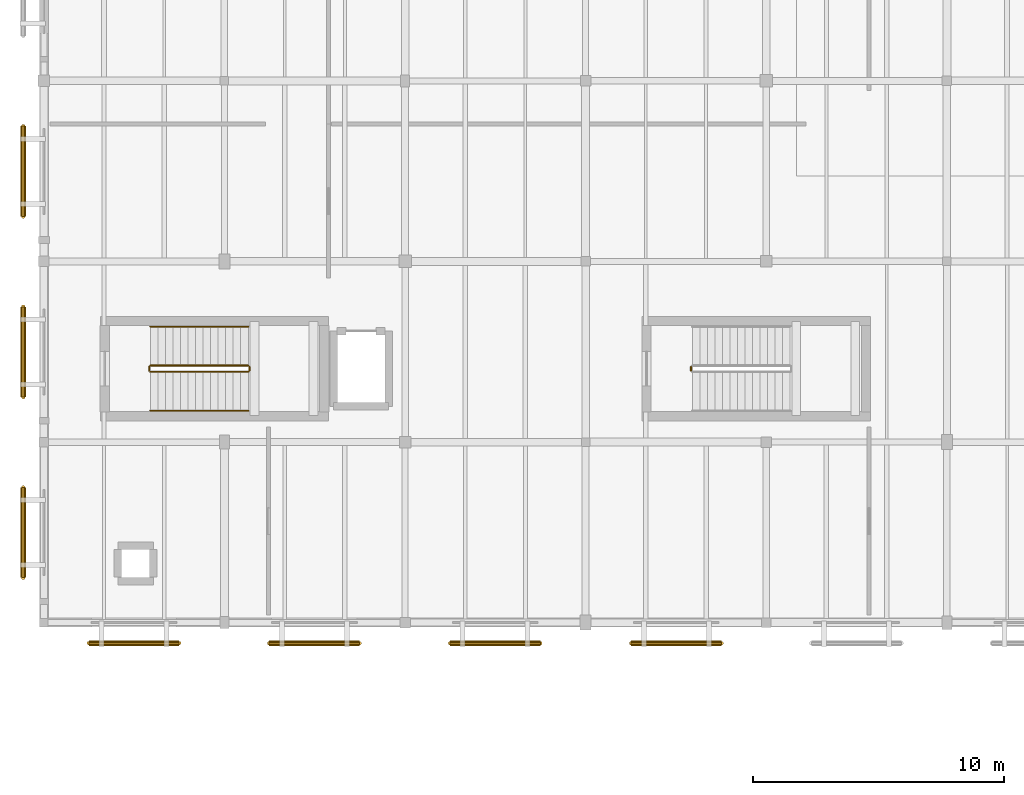
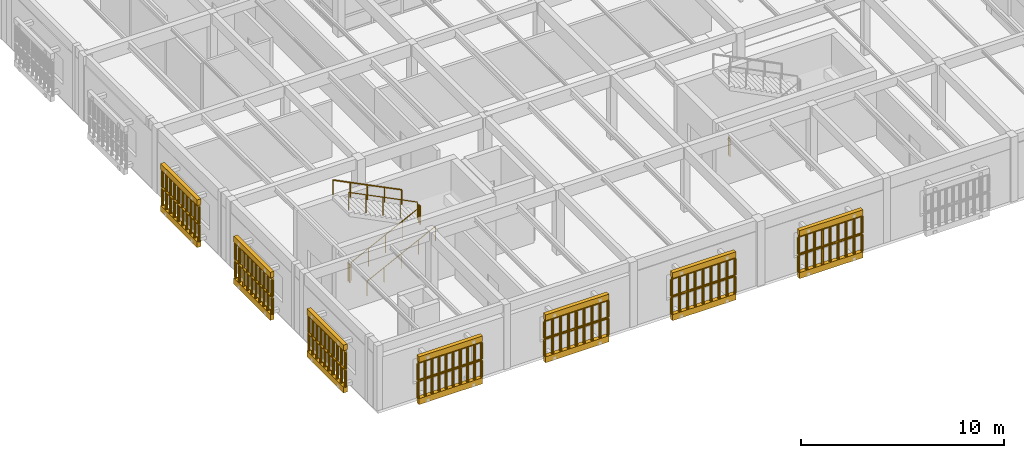
# One storey, part 197 of 217: 21 railings, 14 coverings.
"""IFC4 building model written with IfcOpenShell, lengths in metres."""

from ifc_helpers import new_model, si_unit, direction, frame, origin, origin_2d, place, context, subcontext, project, spatial, polyline, circle, outline, extrude, material, layer, layer_set, type_object, element, save


model = new_model("IFC4")

# Units and contexts
model_context = context("Model", 3, precision=1e-05, world=origin(), true_north=direction((0.0, 1.0)))
body_context = subcontext(model_context, "Body", "Model", "MODEL_VIEW")
ifc_project = project(units=[si_unit("LENGTHUNIT", "METRE"), si_unit("AREAUNIT", "SQUARE_METRE"), si_unit("VOLUMEUNIT", "CUBIC_METRE"), si_unit("PLANEANGLEUNIT", "RADIAN"), si_unit("MASSUNIT", "GRAM", prefix="KILO")], contexts=[model_context])

# Site, building, storey
site_placement = place(None, origin())
site = spatial("IfcSite", under=ifc_project, at=site_placement, CompositionType="ELEMENT")
building_placement = place(site_placement, origin())
building = spatial("IfcBuilding", under=site, at=building_placement, Name="Mazaris Harbour Polytechnic", CompositionType="ELEMENT")
storey_placement = place(building_placement, frame((0.0, 0.0, 9.60009765625)))
storey = spatial("IfcBuildingStorey", under=building, at=storey_placement, Name="L02", CompositionType="ELEMENT", Elevation=9.60009765625)

# Railings
ifc_material_1 = material(Name="Perforated Earth-Coloured Terracotta Block", Category="masonry")
railing_type_1 = type_object("IfcRailingType", Name="Perforated Earth-Block Claustra Lattice 1040", PredefinedType="BALUSTRADE", material=ifc_material_1)
for number, where, name in (
    (1, (5.39501953125, 6.3798828125, 0.52001953125), "V4 L02 Lower Perforated Terracotta Block Screen 201"),
    (2, (5.39501953125, 6.3798828125, 1.60498046875), "V4 L02 Upper Perforated Terracotta Block Screen 201"),
):
    element("IfcRailing", number, at=place(storey_placement, frame(where)), inside=storey, type_object=railing_type_1, Name=name, PredefinedType="BALUSTRADE", context=body_context, shape_type="SweptSolid", body=[
        extrude(circle(Radius=0.06982421875, at=origin_2d()), frame((0.0, 0.0, 1.01513671875), z_axis=(-1.0, 0.0, 0.0), x_axis=(0.0, -1.0, 0.0)), (0.0, 0.0, 1.0), 3.60009765625),
        extrude(circle(Radius=0.074951171875, at=origin_2d()), origin(), (0.0, 0.0, 1.0), 0.945068359375),
        extrude(circle(Radius=0.074951171875, at=origin_2d()), frame((-0.39990234375, 0.0, 0.0)), (0.0, 0.0, 1.0), 0.945068359375),
        extrude(circle(Radius=0.074951171875, at=origin_2d()), frame((-0.800048828125, 0.0, 0.0)), (0.0, 0.0, 1.0), 0.945068359375),
        extrude(circle(Radius=0.074951171875, at=origin_2d()), frame((-1.199951171875, 0.0, 0.0)), (0.0, 0.0, 1.0), 0.945068359375),
        extrude(circle(Radius=0.074951171875, at=origin_2d()), frame((-1.60009765625, 0.0, 0.0)), (0.0, 0.0, 1.0), 0.945068359375),
        extrude(circle(Radius=0.074951171875, at=origin_2d()), frame((-2.0, 0.0, 0.0)), (0.0, 0.0, 1.0), 0.945068359375),
        extrude(circle(Radius=0.074951171875, at=origin_2d()), frame((-2.400146484375, 0.0, 0.0)), (0.0, 0.0, 1.0), 0.945068359375),
        extrude(circle(Radius=0.074951171875, at=origin_2d()), frame((-2.800048828125, 0.0, 0.0)), (0.0, 0.0, 1.0), 0.945068359375),
        extrude(circle(Radius=0.074951171875, at=origin_2d()), frame((-3.2001953125, 0.0, 0.0)), (0.0, 0.0, 1.0), 0.945068359375),
        extrude(circle(Radius=0.074951171875, at=origin_2d()), frame((-3.60009765625, 0.0, 0.0)), (0.0, 0.0, 1.0), 0.945068359375),
    ])
for number, where, name in (
    (3, (12.5849609375, 6.3798828125, 0.52001953125), "V4 L02 Lower Perforated Terracotta Block Screen 202"),
    (4, (12.5849609375, 6.3798828125, 1.60498046875), "V4 L02 Upper Perforated Terracotta Block Screen 202"),
):
    element("IfcRailing", number, at=place(storey_placement, frame(where)), inside=storey, type_object=railing_type_1, Name=name, PredefinedType="BALUSTRADE", context=body_context, shape_type="SweptSolid", body=[
        extrude(circle(Radius=0.06982421875, at=origin_2d()), frame((0.0, 0.0, 1.01513671875), z_axis=(-1.0, 0.0, 0.0), x_axis=(0.0, -1.0, 0.0)), (0.0, 0.0, 1.0), 3.599853515625),
        extrude(circle(Radius=0.074951171875, at=origin_2d()), origin(), (0.0, 0.0, 1.0), 0.945068359375),
        extrude(circle(Radius=0.074951171875, at=origin_2d()), frame((-0.449951171875, 0.0, 0.0)), (0.0, 0.0, 1.0), 0.945068359375),
        extrude(circle(Radius=0.074951171875, at=origin_2d()), frame((-0.89990234375, 0.0, 0.0)), (0.0, 0.0, 1.0), 0.945068359375),
        extrude(circle(Radius=0.074951171875, at=origin_2d()), frame((-1.349853515625, 0.0, 0.0)), (0.0, 0.0, 1.0), 0.945068359375),
        extrude(circle(Radius=0.074951171875, at=origin_2d()), frame((-1.7998046875, 0.0, 0.0)), (0.0, 0.0, 1.0), 0.945068359375),
        extrude(circle(Radius=0.074951171875, at=origin_2d()), frame((-2.25, 0.0, 0.0)), (0.0, 0.0, 1.0), 0.945068359375),
        extrude(circle(Radius=0.074951171875, at=origin_2d()), frame((-2.699951171875, 0.0, 0.0)), (0.0, 0.0, 1.0), 0.945068359375),
        extrude(circle(Radius=0.074951171875, at=origin_2d()), frame((-3.14990234375, 0.0, 0.0)), (0.0, 0.0, 1.0), 0.945068359375),
        extrude(circle(Radius=0.074951171875, at=origin_2d()), frame((-3.599853515625, 0.0, 0.0)), (0.0, 0.0, 1.0), 0.945068359375),
    ])
for number, where, name in (
    (5, (19.794921875, 6.3798828125, 0.52001953125), "V4 L02 Lower Perforated Terracotta Block Screen 203"),
    (6, (19.794921875, 6.3798828125, 1.60986328125), "V4 L02 Upper Perforated Terracotta Block Screen 203"),
    (7, (27.014892578125, 6.3798828125, 0.52001953125), "V4 L02 Lower Perforated Terracotta Block Screen 204"),
    (8, (27.014892578125, 6.3798828125, 1.60986328125), "V4 L02 Upper Perforated Terracotta Block Screen 204"),
):
    element("IfcRailing", number, at=place(storey_placement, frame(where)), inside=storey, type_object=railing_type_1, Name=name, PredefinedType="BALUSTRADE", context=body_context, shape_type="SweptSolid", body=[
        extrude(circle(Radius=0.06982421875, at=origin_2d()), frame((0.0, 0.0, 1.02001953125), z_axis=(-1.0, 0.0, 0.0), x_axis=(0.0, -1.0, 0.0)), (0.0, 0.0, 1.0), 3.599853515625),
        extrude(circle(Radius=0.074951171875, at=origin_2d()), origin(), (0.0, 0.0, 1.0), 0.9501953125),
        extrude(circle(Radius=0.074951171875, at=origin_2d()), frame((-0.449951171875, 0.0, 0.0)), (0.0, 0.0, 1.0), 0.9501953125),
        extrude(circle(Radius=0.074951171875, at=origin_2d()), frame((-0.89990234375, 0.0, 0.0)), (0.0, 0.0, 1.0), 0.9501953125),
        extrude(circle(Radius=0.074951171875, at=origin_2d()), frame((-1.349853515625, 0.0, 0.0)), (0.0, 0.0, 1.0), 0.9501953125),
        extrude(circle(Radius=0.074951171875, at=origin_2d()), frame((-1.7998046875, 0.0, 0.0)), (0.0, 0.0, 1.0), 0.9501953125),
        extrude(circle(Radius=0.074951171875, at=origin_2d()), frame((-2.25, 0.0, 0.0)), (0.0, 0.0, 1.0), 0.9501953125),
        extrude(circle(Radius=0.074951171875, at=origin_2d()), frame((-2.699951171875, 0.0, 0.0)), (0.0, 0.0, 1.0), 0.9501953125),
        extrude(circle(Radius=0.074951171875, at=origin_2d()), frame((-3.14990234375, 0.0, 0.0)), (0.0, 0.0, 1.0), 0.9501953125),
        extrude(circle(Radius=0.074951171875, at=origin_2d()), frame((-3.599853515625, 0.0, 0.0)), (0.0, 0.0, 1.0), 0.9501953125),
    ])
for number, where, name in (
    (9, (-0.820068359375, 8.989990234375, 0.52001953125), "V4 L02 Lower Perforated Terracotta Block Screen 213"),
    (10, (-0.820068359375, 8.989990234375, 1.60986328125), "V4 L02 Upper Perforated Terracotta Block Screen 213"),
    (11, (-0.820068359375, 16.18994140625, 0.52001953125), "V4 L02 Lower Perforated Terracotta Block Screen 214"),
    (12, (-0.820068359375, 16.18994140625, 1.60986328125), "V4 L02 Upper Perforated Terracotta Block Screen 214"),
):
    element("IfcRailing", number, at=place(storey_placement, frame(where)), inside=storey, type_object=railing_type_1, Name=name, PredefinedType="BALUSTRADE", context=body_context, shape_type="SweptSolid", body=[
        extrude(circle(Radius=0.06982421875, at=origin_2d()), frame((0.0, 0.0, 1.02001953125), z_axis=(0.0, 1.0, 0.0), x_axis=(-1.0, 0.0, 0.0)), (0.0, 0.0, 1.0), 3.60009765625),
        extrude(circle(Radius=0.074951171875, at=origin_2d()), origin(), (0.0, 0.0, 1.0), 0.9501953125),
        extrude(circle(Radius=0.074951171875, at=origin_2d()), frame((0.0, 0.39990234375, 0.0)), (0.0, 0.0, 1.0), 0.9501953125),
        extrude(circle(Radius=0.074951171875, at=origin_2d()), frame((0.0, 0.800048828125, 0.0)), (0.0, 0.0, 1.0), 0.9501953125),
        extrude(circle(Radius=0.074951171875, at=origin_2d()), frame((0.0, 1.199951171875, 0.0)), (0.0, 0.0, 1.0), 0.9501953125),
        extrude(circle(Radius=0.074951171875, at=origin_2d()), frame((0.0, 1.60009765625, 0.0)), (0.0, 0.0, 1.0), 0.9501953125),
        extrude(circle(Radius=0.074951171875, at=origin_2d()), frame((0.0, 2.0, 0.0)), (0.0, 0.0, 1.0), 0.9501953125),
        extrude(circle(Radius=0.074951171875, at=origin_2d()), frame((0.0, 2.400146484375, 0.0)), (0.0, 0.0, 1.0), 0.9501953125),
        extrude(circle(Radius=0.074951171875, at=origin_2d()), frame((0.0, 2.800048828125, 0.0)), (0.0, 0.0, 1.0), 0.9501953125),
        extrude(circle(Radius=0.074951171875, at=origin_2d()), frame((0.0, 3.2001953125, 0.0)), (0.0, 0.0, 1.0), 0.9501953125),
        extrude(circle(Radius=0.074951171875, at=origin_2d()), frame((0.0, 3.60009765625, 0.0)), (0.0, 0.0, 1.0), 0.9501953125),
    ])
for number, where, name in (
    (13, (-0.820068359375, 23.389892578125, 0.52001953125), "V4 L02 Lower Perforated Terracotta Block Screen 215"),
    (14, (-0.820068359375, 23.389892578125, 1.60498046875), "V4 L02 Upper Perforated Terracotta Block Screen 215"),
):
    element("IfcRailing", number, at=place(storey_placement, frame(where)), inside=storey, type_object=railing_type_1, Name=name, PredefinedType="BALUSTRADE", context=body_context, shape_type="SweptSolid", body=[
        extrude(circle(Radius=0.06982421875, at=origin_2d()), frame((0.0, 0.0, 1.01513671875), z_axis=(0.0, 1.0, 0.0), x_axis=(-1.0, 0.0, 0.0)), (0.0, 0.0, 1.0), 3.60009765625),
        extrude(circle(Radius=0.074951171875, at=origin_2d()), origin(), (0.0, 0.0, 1.0), 0.945068359375),
        extrude(circle(Radius=0.074951171875, at=origin_2d()), frame((0.0, 0.39990234375, 0.0)), (0.0, 0.0, 1.0), 0.945068359375),
        extrude(circle(Radius=0.074951171875, at=origin_2d()), frame((0.0, 0.800048828125, 0.0)), (0.0, 0.0, 1.0), 0.945068359375),
        extrude(circle(Radius=0.074951171875, at=origin_2d()), frame((0.0, 1.199951171875, 0.0)), (0.0, 0.0, 1.0), 0.945068359375),
        extrude(circle(Radius=0.074951171875, at=origin_2d()), frame((0.0, 1.60009765625, 0.0)), (0.0, 0.0, 1.0), 0.945068359375),
        extrude(circle(Radius=0.074951171875, at=origin_2d()), frame((0.0, 2.0, 0.0)), (0.0, 0.0, 1.0), 0.945068359375),
        extrude(circle(Radius=0.074951171875, at=origin_2d()), frame((0.0, 2.400146484375, 0.0)), (0.0, 0.0, 1.0), 0.945068359375),
        extrude(circle(Radius=0.074951171875, at=origin_2d()), frame((0.0, 2.800048828125, 0.0)), (0.0, 0.0, 1.0), 0.945068359375),
        extrude(circle(Radius=0.074951171875, at=origin_2d()), frame((0.0, 3.2001953125, 0.0)), (0.0, 0.0, 1.0), 0.945068359375),
        extrude(circle(Radius=0.074951171875, at=origin_2d()), frame((0.0, 3.60009765625, 0.0)), (0.0, 0.0, 1.0), 0.945068359375),
    ])
ifc_material_2 = material(Name="Stainless Steel S355", Category="steel")
railing_type_2 = type_object("IfcRailingType", Name="Stair Wall Handrail 900", PredefinedType="HANDRAIL", material=ifc_material_2)
railing_1_placement = place(storey_placement, frame((4.25, 15.64990234375, 0.14990234375)))
element("IfcRailing", 15, at=railing_1_placement, inside=storey, type_object=railing_type_2, Name="L02 ST07 stair handrail 1", PredefinedType="HANDRAIL", context=body_context, shape_type="SweptSolid", body=[
    extrude(circle(Radius=0.02392578125, at=origin_2d()), frame((0.0, 0.0, 0.8759765625), z_axis=(0.894427191, 0.0, 0.4472135955), x_axis=(0.0, 1.0, 0.0)), (0.0, 0.0, 1.0), 4.360107421875),
    extrude(circle(Radius=0.02099609375, at=origin_2d()), origin(), (0.0, 0.0, 1.0), 0.851806640625),
    extrude(circle(Radius=0.02099609375, at=origin_2d()), frame((0.97509765625, 0.0, 0.487548828125)), (0.0, 0.0, 1.0), 0.851806640625),
    extrude(circle(Radius=0.02099609375, at=origin_2d()), frame((1.949951171875, 0.0, 0.97509765625)), (0.0, 0.0, 1.0), 0.851806640625),
    extrude(circle(Radius=0.02099609375, at=origin_2d()), frame((2.9248046875, 0.0, 1.46240234375)), (0.0, 0.0, 1.0), 0.851806640625),
    extrude(circle(Radius=0.02099609375, at=origin_2d()), frame((3.89990234375, 0.0, 1.949951171875)), (0.0, 0.0, 1.0), 0.851806640625),
])
railing_2_placement = place(storey_placement, frame((8.14990234375, 19.0, 2.25)))
element("IfcRailing", 16, at=railing_2_placement, inside=storey, type_object=railing_type_2, Name="L02 ST07 stair handrail 2", PredefinedType="HANDRAIL", context=body_context, shape_type="SweptSolid", body=[
    extrude(circle(Radius=0.02392578125, at=origin_2d()), frame((0.0, 0.0, 0.8759765625), z_axis=(-0.894427191, 0.0, 0.4472135955), x_axis=(0.0, -1.0, 0.0)), (0.0, 0.0, 1.0), 4.360107421875),
    extrude(circle(Radius=0.02099609375, at=origin_2d()), origin(), (0.0, 0.0, 1.0), 0.851806640625),
    extrude(circle(Radius=0.02099609375, at=origin_2d()), frame((-0.97509765625, 0.0, 0.487548828125)), (0.0, 0.0, 1.0), 0.851806640625),
    extrude(circle(Radius=0.02099609375, at=origin_2d()), frame((-1.949951171875, 0.0, 0.97509765625)), (0.0, 0.0, 1.0), 0.851806640625),
    extrude(circle(Radius=0.02099609375, at=origin_2d()), frame((-2.9248046875, 0.0, 1.46240234375)), (0.0, 0.0, 1.0), 0.851806640625),
    extrude(circle(Radius=0.02099609375, at=origin_2d()), frame((-3.89990234375, 0.0, 1.949951171875)), (0.0, 0.0, 1.0), 0.851806640625),
])
ifc_material_3 = material(Name="Steel S355", Category="steel")
railing_type_3 = type_object("IfcRailingType", Name="Stair Well Guardrail 1100", PredefinedType="GUARDRAIL", material=ifc_material_3)
railing_3_placement = place(storey_placement, frame((4.25, 17.199951171875, 0.14990234375)))
element("IfcRailing", 17, at=railing_3_placement, inside=storey, type_object=railing_type_3, Name="L02 ST07 stair guard 1", PredefinedType="GUARDRAIL", context=body_context, shape_type="SweptSolid", body=[
    extrude(circle(Radius=0.02392578125, at=origin_2d()), frame((0.0, 0.0, 1.076171875), z_axis=(0.894427191, 0.0, 0.4472135955), x_axis=(0.0, 1.0, 0.0)), (0.0, 0.0, 1.0), 4.360107421875),
    extrude(circle(Radius=0.02099609375, at=origin_2d()), origin(), (0.0, 0.0, 1.0), 1.052001953125),
    extrude(circle(Radius=0.02099609375, at=origin_2d()), frame((0.97509765625, 0.0, 0.487548828125)), (0.0, 0.0, 1.0), 1.052001953125),
    extrude(circle(Radius=0.02099609375, at=origin_2d()), frame((1.949951171875, 0.0, 0.97509765625)), (0.0, 0.0, 1.0), 1.052001953125),
    extrude(circle(Radius=0.02099609375, at=origin_2d()), frame((2.9248046875, 0.0, 1.46240234375)), (0.0, 0.0, 1.0), 1.052001953125),
    extrude(circle(Radius=0.02099609375, at=origin_2d()), frame((3.89990234375, 0.0, 1.949951171875)), (0.0, 0.0, 1.0), 1.052001953125),
])
railing_4_placement = place(storey_placement, frame((8.199951171875, 17.25, 2.099853515625)))
element("IfcRailing", 18, at=railing_4_placement, inside=storey, type_object=railing_type_3, Name="L02 ST07 stair guard 2", PredefinedType="GUARDRAIL", context=body_context, shape_type="SweptSolid", body=[
    extrude(circle(Radius=0.02392578125, at=origin_2d()), frame((0.0, 0.0, 1.076171875), z_axis=(0.0, 1.0, 0.0), x_axis=(-1.0, 0.0, 0.0)), (0.0, 0.0, 1.0), 0.14990234375),
    extrude(circle(Radius=0.02099609375, at=origin_2d()), origin(), (0.0, 0.0, 1.0), 1.052001953125),
    extrude(circle(Radius=0.02099609375, at=origin_2d()), frame((0.0, 0.14990234375, 0.0)), (0.0, 0.0, 1.0), 1.052001953125),
])
railing_5_placement = place(storey_placement, frame((8.14990234375, 17.449951171875, 2.25)))
element("IfcRailing", 19, at=railing_5_placement, inside=storey, type_object=railing_type_3, Name="L02 ST07 stair guard 3", PredefinedType="GUARDRAIL", context=body_context, shape_type="SweptSolid", body=[
    extrude(circle(Radius=0.02392578125, at=origin_2d()), frame((0.0, 0.0, 1.076171875), z_axis=(-0.894427191, 0.0, 0.4472135955), x_axis=(0.0, -1.0, 0.0)), (0.0, 0.0, 1.0), 4.360107421875),
    extrude(circle(Radius=0.02099609375, at=origin_2d()), origin(), (0.0, 0.0, 1.0), 1.052001953125),
    extrude(circle(Radius=0.02099609375, at=origin_2d()), frame((-0.97509765625, 0.0, 0.487548828125)), (0.0, 0.0, 1.0), 1.052001953125),
    extrude(circle(Radius=0.02099609375, at=origin_2d()), frame((-1.949951171875, 0.0, 0.97509765625)), (0.0, 0.0, 1.0), 1.052001953125),
    extrude(circle(Radius=0.02099609375, at=origin_2d()), frame((-2.9248046875, 0.0, 1.46240234375)), (0.0, 0.0, 1.0), 1.052001953125),
    extrude(circle(Radius=0.02099609375, at=origin_2d()), frame((-3.89990234375, 0.0, 1.949951171875)), (0.0, 0.0, 1.0), 1.052001953125),
])
for number, where, name in (
    (20, (4.199951171875, 17.25, 0.0), "L02 ST07 stair guard 4"),
    (21, (25.800048828125, 17.25, 0.0), "L02 ST08 stair guard 4"),
):
    element("IfcRailing", number, at=place(storey_placement, frame(where)), inside=storey, type_object=railing_type_3, Name=name, PredefinedType="GUARDRAIL", context=body_context, shape_type="SweptSolid", body=[
        extrude(circle(Radius=0.02392578125, at=origin_2d()), frame((0.0, 0.0, 1.076171875), z_axis=(0.0, 1.0, 0.0), x_axis=(-1.0, 0.0, 0.0)), (0.0, 0.0, 1.0), 0.14990234375),
        extrude(circle(Radius=0.02099609375, at=origin_2d()), origin(), (0.0, 0.0, 1.0), 1.052001953125),
        extrude(circle(Radius=0.02099609375, at=origin_2d()), frame((0.0, 0.14990234375, 0.0)), (0.0, 0.0, 1.0), 1.052001953125),
    ])

# Coverings
ifc_material_4 = material(Name="Perforated Earth-Coloured Terracotta Block", Category="masonry")
ifc_layer = layer(ifc_material_4, 0.219970703125, Name="Perforated Earth-Coloured Terracotta Block")
ifc_layer_set = layer_set([ifc_layer], Name="Perforated Earth-Coloured Terracotta Block")
covering_type = type_object("IfcCoveringType", Name="Terracotta Screen Course Cladding 220", PredefinedType="CLADDING", material=ifc_layer_set)
covering_1_placement = place(storey_placement, frame((0.0, 0.0, 0.159912109375)))
element("IfcCovering", 22, at=covering_1_placement, inside=storey, type_object=covering_type, Name="V4 L02 Perforated Screen Sill Course 201", PredefinedType="CLADDING", context=body_context, shape_type="SweptSolid", body=[
    extrude(outline(polyline([(5.39501953125, 6.489990234375), (1.794921875, 6.489990234375), (1.794921875, 6.27001953125), (5.39501953125, 6.27001953125), (5.39501953125, 6.489990234375)])), origin(), (0.0, 0.0, 1.0), 0.360107421875),
])
covering_2_placement = place(storey_placement, frame((0.0, 0.0, 2.68994140625)))
element("IfcCovering", 23, at=covering_2_placement, inside=storey, type_object=covering_type, Name="V4 L02 Perforated Screen Lintel Course 201", PredefinedType="CLADDING", context=body_context, shape_type="SweptSolid", body=[
    extrude(outline(polyline([(5.39501953125, 6.489990234375), (1.794921875, 6.489990234375), (1.794921875, 6.27001953125), (5.39501953125, 6.27001953125), (5.39501953125, 6.489990234375)])), origin(), (0.0, 0.0, 1.0), 0.33984375),
])
covering_3_placement = place(storey_placement, frame((0.0, 0.0, 0.159912109375)))
element("IfcCovering", 24, at=covering_3_placement, inside=storey, type_object=covering_type, Name="V4 L02 Perforated Screen Sill Course 202", PredefinedType="CLADDING", context=body_context, shape_type="SweptSolid", body=[
    extrude(outline(polyline([(12.5849609375, 6.489990234375), (8.985107421875, 6.489990234375), (8.985107421875, 6.27001953125), (12.5849609375, 6.27001953125), (12.5849609375, 6.489990234375)])), origin(), (0.0, 0.0, 1.0), 0.360107421875),
])
covering_4_placement = place(storey_placement, frame((0.0, 0.0, 2.68994140625)))
element("IfcCovering", 25, at=covering_4_placement, inside=storey, type_object=covering_type, Name="V4 L02 Perforated Screen Lintel Course 202", PredefinedType="CLADDING", context=body_context, shape_type="SweptSolid", body=[
    extrude(outline(polyline([(12.5849609375, 6.489990234375), (8.985107421875, 6.489990234375), (8.985107421875, 6.27001953125), (12.5849609375, 6.27001953125), (12.5849609375, 6.489990234375)])), origin(), (0.0, 0.0, 1.0), 0.33984375),
])
covering_5_placement = place(storey_placement, frame((0.0, 0.0, 0.159912109375)))
element("IfcCovering", 26, at=covering_5_placement, inside=storey, type_object=covering_type, Name="V4 L02 Perforated Screen Sill Course 203", PredefinedType="CLADDING", context=body_context, shape_type="SweptSolid", body=[
    extrude(outline(polyline([(19.794921875, 6.489990234375), (16.195068359375, 6.489990234375), (16.195068359375, 6.27001953125), (19.794921875, 6.27001953125), (19.794921875, 6.489990234375)])), origin(), (0.0, 0.0, 1.0), 0.360107421875),
])
covering_6_placement = place(storey_placement, frame((0.0, 0.0, 2.699951171875)))
element("IfcCovering", 27, at=covering_6_placement, inside=storey, type_object=covering_type, Name="V4 L02 Perforated Screen Lintel Course 203", PredefinedType="CLADDING", context=body_context, shape_type="SweptSolid", body=[
    extrude(outline(polyline([(19.794921875, 6.489990234375), (16.195068359375, 6.489990234375), (16.195068359375, 6.27001953125), (19.794921875, 6.27001953125), (19.794921875, 6.489990234375)])), origin(), (0.0, 0.0, 1.0), 0.33984375),
])
covering_7_placement = place(storey_placement, frame((0.0, 0.0, 0.159912109375)))
element("IfcCovering", 28, at=covering_7_placement, inside=storey, type_object=covering_type, Name="V4 L02 Perforated Screen Sill Course 204", PredefinedType="CLADDING", context=body_context, shape_type="SweptSolid", body=[
    extrude(outline(polyline([(27.014892578125, 6.489990234375), (23.4150390625, 6.489990234375), (23.4150390625, 6.27001953125), (27.014892578125, 6.27001953125), (27.014892578125, 6.489990234375)])), origin(), (0.0, 0.0, 1.0), 0.360107421875),
])
covering_8_placement = place(storey_placement, frame((0.0, 0.0, 2.699951171875)))
element("IfcCovering", 29, at=covering_8_placement, inside=storey, type_object=covering_type, Name="V4 L02 Perforated Screen Lintel Course 204", PredefinedType="CLADDING", context=body_context, shape_type="SweptSolid", body=[
    extrude(outline(polyline([(27.014892578125, 6.489990234375), (23.4150390625, 6.489990234375), (23.4150390625, 6.27001953125), (27.014892578125, 6.27001953125), (27.014892578125, 6.489990234375)])), origin(), (0.0, 0.0, 1.0), 0.33984375),
])
covering_9_placement = place(storey_placement, frame((0.0, 0.0, 0.159912109375)))
element("IfcCovering", 30, at=covering_9_placement, inside=storey, type_object=covering_type, Name="V4 L02 Perforated Screen Sill Course 213", PredefinedType="CLADDING", context=body_context, shape_type="SweptSolid", body=[
    extrude(outline(polyline([(-0.7099609375, 8.989990234375), (-0.7099609375, 12.590087890625), (-0.929931640625, 12.590087890625), (-0.929931640625, 8.989990234375), (-0.7099609375, 8.989990234375)])), origin(), (0.0, 0.0, 1.0), 0.360107421875),
])
covering_10_placement = place(storey_placement, frame((0.0, 0.0, 2.699951171875)))
element("IfcCovering", 31, at=covering_10_placement, inside=storey, type_object=covering_type, Name="V4 L02 Perforated Screen Lintel Course 213", PredefinedType="CLADDING", context=body_context, shape_type="SweptSolid", body=[
    extrude(outline(polyline([(-0.7099609375, 8.989990234375), (-0.7099609375, 12.590087890625), (-0.929931640625, 12.590087890625), (-0.929931640625, 8.989990234375), (-0.7099609375, 8.989990234375)])), origin(), (0.0, 0.0, 1.0), 0.33984375),
])
covering_11_placement = place(storey_placement, frame((0.0, 0.0, 0.159912109375)))
element("IfcCovering", 32, at=covering_11_placement, inside=storey, type_object=covering_type, Name="V4 L02 Perforated Screen Sill Course 214", PredefinedType="CLADDING", context=body_context, shape_type="SweptSolid", body=[
    extrude(outline(polyline([(-0.7099609375, 16.18994140625), (-0.7099609375, 19.7900390625), (-0.929931640625, 19.7900390625), (-0.929931640625, 16.18994140625), (-0.7099609375, 16.18994140625)])), origin(), (0.0, 0.0, 1.0), 0.360107421875),
])
covering_12_placement = place(storey_placement, frame((0.0, 0.0, 2.699951171875)))
element("IfcCovering", 33, at=covering_12_placement, inside=storey, type_object=covering_type, Name="V4 L02 Perforated Screen Lintel Course 214", PredefinedType="CLADDING", context=body_context, shape_type="SweptSolid", body=[
    extrude(outline(polyline([(-0.7099609375, 16.18994140625), (-0.7099609375, 19.7900390625), (-0.929931640625, 19.7900390625), (-0.929931640625, 16.18994140625), (-0.7099609375, 16.18994140625)])), origin(), (0.0, 0.0, 1.0), 0.33984375),
])
covering_13_placement = place(storey_placement, frame((0.0, 0.0, 0.159912109375)))
element("IfcCovering", 34, at=covering_13_placement, inside=storey, type_object=covering_type, Name="V4 L02 Perforated Screen Sill Course 215", PredefinedType="CLADDING", context=body_context, shape_type="SweptSolid", body=[
    extrude(outline(polyline([(-0.7099609375, 23.389892578125), (-0.7099609375, 26.989990234375), (-0.929931640625, 26.989990234375), (-0.929931640625, 23.389892578125), (-0.7099609375, 23.389892578125)])), origin(), (0.0, 0.0, 1.0), 0.360107421875),
])
covering_14_placement = place(storey_placement, frame((0.0, 0.0, 2.68994140625)))
element("IfcCovering", 35, at=covering_14_placement, inside=storey, type_object=covering_type, Name="V4 L02 Perforated Screen Lintel Course 215", PredefinedType="CLADDING", context=body_context, shape_type="SweptSolid", body=[
    extrude(outline(polyline([(-0.7099609375, 23.389892578125), (-0.7099609375, 26.989990234375), (-0.929931640625, 26.989990234375), (-0.929931640625, 23.389892578125), (-0.7099609375, 23.389892578125)])), origin(), (0.0, 0.0, 1.0), 0.33984375),
])

save(model, "model.ifc")
